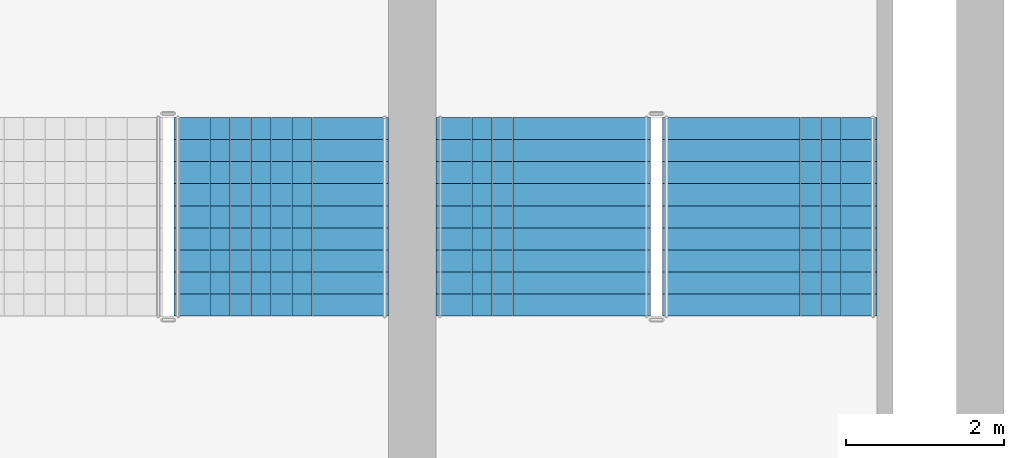
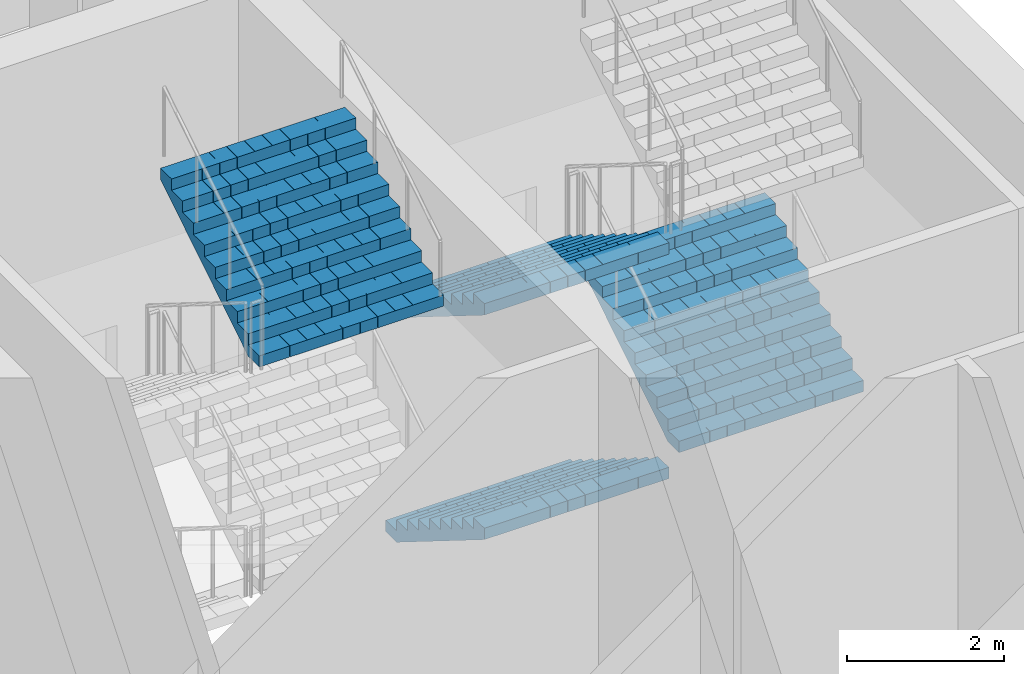
# One storey, part 35 of 45: 4 stair flights, 2 elements without a shape of their own.
"""IFC4 building model written with IfcOpenShell, lengths in metres."""

from ifc_helpers import new_model, si_unit, direction, frame, origin, place, context, subcontext, project, spatial, polyline, outline, extrude, material, type_object, element, aggregate, save


model = new_model("IFC4")

# Units and contexts
model_context = context("Model", 3, precision=1e-05, world=origin(), true_north=direction((0.0, 1.0)))
body_context = subcontext(model_context, "Body", "Model", "MODEL_VIEW")
ifc_project = project(units=[si_unit("LENGTHUNIT", "METRE"), si_unit("AREAUNIT", "SQUARE_METRE"), si_unit("VOLUMEUNIT", "CUBIC_METRE"), si_unit("PLANEANGLEUNIT", "RADIAN"), si_unit("MASSUNIT", "GRAM", prefix="KILO")], contexts=[model_context])

# Site, building, storey
site_placement = place(None, origin())
site = spatial("IfcSite", under=ifc_project, at=site_placement, CompositionType="ELEMENT")
building_placement = place(site_placement, origin())
building = spatial("IfcBuilding", under=site, at=building_placement, Name="Corbelhall Arena Tower", CompositionType="ELEMENT")
storey_placement = place(building_placement, frame((0.0, 0.0, 37.0)))
storey = spatial("IfcBuildingStorey", under=building, at=storey_placement, Name="L05", CompositionType="ELEMENT", Elevation=37.0)

# Stair, stair flight
ifc_material = material(Name="Reinforced concrete C40/50", Category="concrete")
stair_type = type_object("IfcStairType", Name="AR-EXIT-STAIR", PredefinedType="HALF_TURN_STAIR", material=ifc_material)
stair_1_placement = place(storey_placement, origin())
stair_1 = element("IfcStair", 1, at=stair_1_placement, inside=storey, type_object=stair_type, Name="L05 exit stair AS5", PredefinedType="HALF_TURN_STAIR")
stair_flight_type = type_object("IfcStairFlightType", Name="AR-EXIT-FLIGHT", PredefinedType="STRAIGHT", material=ifc_material)
stair_flight_1_placement = place(storey_placement, frame((38.840087890625, -29.840087890625, 5.25), z_axis=(0.0, 0.0, 1.0), x_axis=(0.0, 1.0, 0.0)))
stair_flight_1 = element("IfcStairFlight", 2, at=stair_flight_1_placement, type_object=stair_flight_type, Name="AS5 flight 4", NumberOfRisers=10, NumberOfTreads=9, PredefinedType="STRAIGHT", RiserHeight=0.175, TreadLength=0.28, context=body_context, shape_type="SweptSolid", body=[
    extrude(outline(polyline([(0.0, 0.0), (0.0, 0.175048828125), (0.280029296875, 0.175048828125), (0.280029296875, 0.35009765625), (0.56005859375, 0.35009765625), (0.56005859375, 0.52490234375), (0.840087890625, 0.52490234375), (0.840087890625, 0.699951171875), (1.1201171875, 0.699951171875), (1.1201171875, 0.875), (1.39990234375, 0.875), (1.39990234375, 1.050048828125), (1.679931640625, 1.050048828125), (1.679931640625, 1.22509765625), (1.9599609375, 1.22509765625), (1.9599609375, 1.39990234375), (2.239990234375, 1.39990234375), (2.239990234375, 1.574951171875), (2.52001953125, 1.574951171875), (2.52001953125, 1.75), (2.52001953125, 1.398193359375), (0.28271484375, 0.0), (0.0, 0.0)])), frame((0.0, 1.35986328125, 0.0), z_axis=(0.0, -1.0, 0.0), x_axis=(1.0, 0.0, 0.0)), (0.0, 0.0, 1.0), 0.449951171875),
    extrude(outline(polyline([(0.0, 0.0), (0.0, 0.175048828125), (0.280029296875, 0.175048828125), (0.280029296875, 0.35009765625), (0.56005859375, 0.35009765625), (0.56005859375, 0.52490234375), (0.840087890625, 0.52490234375), (0.840087890625, 0.699951171875), (1.1201171875, 0.699951171875), (1.1201171875, 0.875), (1.39990234375, 0.875), (1.39990234375, 1.050048828125), (1.679931640625, 1.050048828125), (1.679931640625, 1.22509765625), (1.9599609375, 1.22509765625), (1.9599609375, 1.39990234375), (2.239990234375, 1.39990234375), (2.239990234375, 1.574951171875), (2.52001953125, 1.574951171875), (2.52001953125, 1.75), (2.52001953125, 1.398193359375), (0.28271484375, 0.0), (0.0, 0.0)])), frame((0.0, 0.906005859375, 0.0), z_axis=(0.0, -1.0, 0.0), x_axis=(1.0, 0.0, 0.0)), (0.0, 0.0, 1.0), 0.25537109375),
    extrude(outline(polyline([(0.0, 0.0), (0.0, 0.175048828125), (0.280029296875, 0.175048828125), (0.280029296875, 0.35009765625), (0.56005859375, 0.35009765625), (0.56005859375, 0.52490234375), (0.840087890625, 0.52490234375), (0.840087890625, 0.699951171875), (1.1201171875, 0.699951171875), (1.1201171875, 0.875), (1.39990234375, 0.875), (1.39990234375, 1.050048828125), (1.679931640625, 1.050048828125), (1.679931640625, 1.22509765625), (1.9599609375, 1.22509765625), (1.9599609375, 1.39990234375), (2.239990234375, 1.39990234375), (2.239990234375, 1.574951171875), (2.52001953125, 1.574951171875), (2.52001953125, 1.75), (2.52001953125, 1.398193359375), (0.28271484375, 0.0), (0.0, 0.0)])), frame((0.0, 0.646484375, 0.0), z_axis=(0.0, -1.0, 0.0), x_axis=(1.0, 0.0, 0.0)), (0.0, 0.0, 1.0), 0.25537109375),
    extrude(outline(polyline([(0.0, 0.0), (0.0, 0.175048828125), (0.280029296875, 0.175048828125), (0.280029296875, 0.35009765625), (0.56005859375, 0.35009765625), (0.56005859375, 0.52490234375), (0.840087890625, 0.52490234375), (0.840087890625, 0.699951171875), (1.1201171875, 0.699951171875), (1.1201171875, 0.875), (1.39990234375, 0.875), (1.39990234375, 1.050048828125), (1.679931640625, 1.050048828125), (1.679931640625, 1.22509765625), (1.9599609375, 1.22509765625), (1.9599609375, 1.39990234375), (2.239990234375, 1.39990234375), (2.239990234375, 1.574951171875), (2.52001953125, 1.574951171875), (2.52001953125, 1.75), (2.52001953125, 1.398193359375), (0.28271484375, 0.0), (0.0, 0.0)])), frame((0.0, 0.38720703125, 0.0), z_axis=(0.0, -1.0, 0.0), x_axis=(1.0, 0.0, 0.0)), (0.0, 0.0, 1.0), 0.25537109375),
    extrude(outline(polyline([(0.0, 0.0), (0.0, 0.175048828125), (0.280029296875, 0.175048828125), (0.280029296875, 0.35009765625), (0.56005859375, 0.35009765625), (0.56005859375, 0.52490234375), (0.840087890625, 0.52490234375), (0.840087890625, 0.699951171875), (1.1201171875, 0.699951171875), (1.1201171875, 0.875), (1.39990234375, 0.875), (1.39990234375, 1.050048828125), (1.679931640625, 1.050048828125), (1.679931640625, 1.22509765625), (1.9599609375, 1.22509765625), (1.9599609375, 1.39990234375), (2.239990234375, 1.39990234375), (2.239990234375, 1.574951171875), (2.52001953125, 1.574951171875), (2.52001953125, 1.75), (2.52001953125, 1.398193359375), (0.28271484375, 0.0), (0.0, 0.0)])), frame((0.0, 0.127685546875, 0.0), z_axis=(0.0, -1.0, 0.0), x_axis=(1.0, 0.0, 0.0)), (0.0, 0.0, 1.0), 0.25537109375),
    extrude(outline(polyline([(0.0, 0.0), (0.0, 0.175048828125), (0.280029296875, 0.175048828125), (0.280029296875, 0.35009765625), (0.56005859375, 0.35009765625), (0.56005859375, 0.52490234375), (0.840087890625, 0.52490234375), (0.840087890625, 0.699951171875), (1.1201171875, 0.699951171875), (1.1201171875, 0.875), (1.39990234375, 0.875), (1.39990234375, 1.050048828125), (1.679931640625, 1.050048828125), (1.679931640625, 1.22509765625), (1.9599609375, 1.22509765625), (1.9599609375, 1.39990234375), (2.239990234375, 1.39990234375), (2.239990234375, 1.574951171875), (2.52001953125, 1.574951171875), (2.52001953125, 1.75), (2.52001953125, 1.398193359375), (0.28271484375, 0.0), (0.0, 0.0)])), frame((0.0, -0.131591796875, 0.0), z_axis=(0.0, -1.0, 0.0), x_axis=(1.0, 0.0, 0.0)), (0.0, 0.0, 1.0), 0.25537109375),
    extrude(outline(polyline([(0.0, 0.0), (0.0, 0.175048828125), (0.280029296875, 0.175048828125), (0.280029296875, 0.35009765625), (0.56005859375, 0.35009765625), (0.56005859375, 0.52490234375), (0.840087890625, 0.52490234375), (0.840087890625, 0.699951171875), (1.1201171875, 0.699951171875), (1.1201171875, 0.875), (1.39990234375, 0.875), (1.39990234375, 1.050048828125), (1.679931640625, 1.050048828125), (1.679931640625, 1.22509765625), (1.9599609375, 1.22509765625), (1.9599609375, 1.39990234375), (2.239990234375, 1.39990234375), (2.239990234375, 1.574951171875), (2.52001953125, 1.574951171875), (2.52001953125, 1.75), (2.52001953125, 1.398193359375), (0.28271484375, 0.0), (0.0, 0.0)])), frame((0.0, -0.39111328125, 0.0), z_axis=(0.0, -1.0, 0.0), x_axis=(1.0, 0.0, 0.0)), (0.0, 0.0, 1.0), 0.25537109375),
    extrude(outline(polyline([(0.0, 0.0), (0.0, 0.175048828125), (0.280029296875, 0.175048828125), (0.280029296875, 0.35009765625), (0.56005859375, 0.35009765625), (0.56005859375, 0.52490234375), (0.840087890625, 0.52490234375), (0.840087890625, 0.699951171875), (1.1201171875, 0.699951171875), (1.1201171875, 0.875), (1.39990234375, 0.875), (1.39990234375, 1.050048828125), (1.679931640625, 1.050048828125), (1.679931640625, 1.22509765625), (1.9599609375, 1.22509765625), (1.9599609375, 1.39990234375), (2.239990234375, 1.39990234375), (2.239990234375, 1.574951171875), (2.52001953125, 1.574951171875), (2.52001953125, 1.75), (2.52001953125, 1.398193359375), (0.28271484375, 0.0), (0.0, 0.0)])), frame((0.0, -0.650634765625, 0.0), z_axis=(0.0, -1.0, 0.0), x_axis=(1.0, 0.0, 0.0)), (0.0, 0.0, 1.0), 0.25537109375),
    extrude(outline(polyline([(0.0, 0.0), (0.0, 0.175048828125), (0.280029296875, 0.175048828125), (0.280029296875, 0.35009765625), (0.56005859375, 0.35009765625), (0.56005859375, 0.52490234375), (0.840087890625, 0.52490234375), (0.840087890625, 0.699951171875), (1.1201171875, 0.699951171875), (1.1201171875, 0.875), (1.39990234375, 0.875), (1.39990234375, 1.050048828125), (1.679931640625, 1.050048828125), (1.679931640625, 1.22509765625), (1.9599609375, 1.22509765625), (1.9599609375, 1.39990234375), (2.239990234375, 1.39990234375), (2.239990234375, 1.574951171875), (2.52001953125, 1.574951171875), (2.52001953125, 1.75), (2.52001953125, 1.398193359375), (0.28271484375, 0.0), (0.0, 0.0)])), frame((0.0, -0.909912109375, 0.0), z_axis=(0.0, -1.0, 0.0), x_axis=(1.0, 0.0, 0.0)), (0.0, 0.0, 1.0), 0.449951171875),
])
aggregate(stair_1, [stair_flight_1])

# Stair, stair flights
stair_2_placement = place(storey_placement, origin())
stair_2 = element("IfcStair", 3, at=stair_2_placement, inside=storey, type_object=stair_type, Name="L05 exit stair AS6", PredefinedType="HALF_TURN_STAIR")
stair_flight_2_placement = place(storey_placement, frame((42.159912109375, -27.320068359375, 0.0), z_axis=(0.0, 0.0, 1.0), x_axis=(0.0, -1.0, 0.0)))
stair_flight_2 = element("IfcStairFlight", 4, at=stair_flight_2_placement, type_object=stair_flight_type, Name="AS6 flight 1", NumberOfRisers=10, NumberOfTreads=9, PredefinedType="STRAIGHT", RiserHeight=0.175, TreadLength=0.28, context=body_context, shape_type="SweptSolid", body=[
    extrude(outline(polyline([(0.0, 0.0), (0.0, 0.175048828125), (0.280029296875, 0.175048828125), (0.280029296875, 0.35009765625), (0.56005859375, 0.35009765625), (0.56005859375, 0.52490234375), (0.840087890625, 0.52490234375), (0.840087890625, 0.699951171875), (1.1201171875, 0.699951171875), (1.1201171875, 0.875), (1.39990234375, 0.875), (1.39990234375, 1.050048828125), (1.679931640625, 1.050048828125), (1.679931640625, 1.22509765625), (1.9599609375, 1.22509765625), (1.9599609375, 1.39990234375), (2.239990234375, 1.39990234375), (2.239990234375, 1.574951171875), (2.52001953125, 1.574951171875), (2.52001953125, 1.75), (2.52001953125, 1.398193359375), (0.28271484375, 0.0), (0.0, 0.0)])), frame((0.0, 1.35986328125, 0.0), z_axis=(0.0, -1.0, 0.0), x_axis=(1.0, 0.0, 0.0)), (0.0, 0.0, 1.0), 0.449951171875),
    extrude(outline(polyline([(0.0, 0.0), (0.0, 0.175048828125), (0.280029296875, 0.175048828125), (0.280029296875, 0.35009765625), (0.56005859375, 0.35009765625), (0.56005859375, 0.52490234375), (0.840087890625, 0.52490234375), (0.840087890625, 0.699951171875), (1.1201171875, 0.699951171875), (1.1201171875, 0.875), (1.39990234375, 0.875), (1.39990234375, 1.050048828125), (1.679931640625, 1.050048828125), (1.679931640625, 1.22509765625), (1.9599609375, 1.22509765625), (1.9599609375, 1.39990234375), (2.239990234375, 1.39990234375), (2.239990234375, 1.574951171875), (2.52001953125, 1.574951171875), (2.52001953125, 1.75), (2.52001953125, 1.398193359375), (0.28271484375, 0.0), (0.0, 0.0)])), frame((0.0, 0.906005859375, 0.0), z_axis=(0.0, -1.0, 0.0), x_axis=(1.0, 0.0, 0.0)), (0.0, 0.0, 1.0), 0.25537109375),
    extrude(outline(polyline([(0.0, 0.0), (0.0, 0.175048828125), (0.280029296875, 0.175048828125), (0.280029296875, 0.35009765625), (0.56005859375, 0.35009765625), (0.56005859375, 0.52490234375), (0.840087890625, 0.52490234375), (0.840087890625, 0.699951171875), (1.1201171875, 0.699951171875), (1.1201171875, 0.875), (1.39990234375, 0.875), (1.39990234375, 1.050048828125), (1.679931640625, 1.050048828125), (1.679931640625, 1.22509765625), (1.9599609375, 1.22509765625), (1.9599609375, 1.39990234375), (2.239990234375, 1.39990234375), (2.239990234375, 1.574951171875), (2.52001953125, 1.574951171875), (2.52001953125, 1.75), (2.52001953125, 1.398193359375), (0.28271484375, 0.0), (0.0, 0.0)])), frame((0.0, 0.646484375, 0.0), z_axis=(0.0, -1.0, 0.0), x_axis=(1.0, 0.0, 0.0)), (0.0, 0.0, 1.0), 0.25537109375),
    extrude(outline(polyline([(0.0, 0.0), (0.0, 0.175048828125), (0.280029296875, 0.175048828125), (0.280029296875, 0.35009765625), (0.56005859375, 0.35009765625), (0.56005859375, 0.52490234375), (0.840087890625, 0.52490234375), (0.840087890625, 0.699951171875), (1.1201171875, 0.699951171875), (1.1201171875, 0.875), (1.39990234375, 0.875), (1.39990234375, 1.050048828125), (1.679931640625, 1.050048828125), (1.679931640625, 1.22509765625), (1.9599609375, 1.22509765625), (1.9599609375, 1.39990234375), (2.239990234375, 1.39990234375), (2.239990234375, 1.574951171875), (2.52001953125, 1.574951171875), (2.52001953125, 1.75), (2.52001953125, 1.398193359375), (0.28271484375, 0.0), (0.0, 0.0)])), frame((0.0, 0.38720703125, 0.0), z_axis=(0.0, -1.0, 0.0), x_axis=(1.0, 0.0, 0.0)), (0.0, 0.0, 1.0), 0.25537109375),
    extrude(outline(polyline([(0.0, 0.0), (0.0, 0.175048828125), (0.280029296875, 0.175048828125), (0.280029296875, 0.35009765625), (0.56005859375, 0.35009765625), (0.56005859375, 0.52490234375), (0.840087890625, 0.52490234375), (0.840087890625, 0.699951171875), (1.1201171875, 0.699951171875), (1.1201171875, 0.875), (1.39990234375, 0.875), (1.39990234375, 1.050048828125), (1.679931640625, 1.050048828125), (1.679931640625, 1.22509765625), (1.9599609375, 1.22509765625), (1.9599609375, 1.39990234375), (2.239990234375, 1.39990234375), (2.239990234375, 1.574951171875), (2.52001953125, 1.574951171875), (2.52001953125, 1.75), (2.52001953125, 1.398193359375), (0.28271484375, 0.0), (0.0, 0.0)])), frame((0.0, 0.127685546875, 0.0), z_axis=(0.0, -1.0, 0.0), x_axis=(1.0, 0.0, 0.0)), (0.0, 0.0, 1.0), 0.25537109375),
    extrude(outline(polyline([(0.0, 0.0), (0.0, 0.175048828125), (0.280029296875, 0.175048828125), (0.280029296875, 0.35009765625), (0.56005859375, 0.35009765625), (0.56005859375, 0.52490234375), (0.840087890625, 0.52490234375), (0.840087890625, 0.699951171875), (1.1201171875, 0.699951171875), (1.1201171875, 0.875), (1.39990234375, 0.875), (1.39990234375, 1.050048828125), (1.679931640625, 1.050048828125), (1.679931640625, 1.22509765625), (1.9599609375, 1.22509765625), (1.9599609375, 1.39990234375), (2.239990234375, 1.39990234375), (2.239990234375, 1.574951171875), (2.52001953125, 1.574951171875), (2.52001953125, 1.75), (2.52001953125, 1.398193359375), (0.28271484375, 0.0), (0.0, 0.0)])), frame((0.0, -0.131591796875, 0.0), z_axis=(0.0, -1.0, 0.0), x_axis=(1.0, 0.0, 0.0)), (0.0, 0.0, 1.0), 0.25537109375),
    extrude(outline(polyline([(0.0, 0.0), (0.0, 0.175048828125), (0.280029296875, 0.175048828125), (0.280029296875, 0.35009765625), (0.56005859375, 0.35009765625), (0.56005859375, 0.52490234375), (0.840087890625, 0.52490234375), (0.840087890625, 0.699951171875), (1.1201171875, 0.699951171875), (1.1201171875, 0.875), (1.39990234375, 0.875), (1.39990234375, 1.050048828125), (1.679931640625, 1.050048828125), (1.679931640625, 1.22509765625), (1.9599609375, 1.22509765625), (1.9599609375, 1.39990234375), (2.239990234375, 1.39990234375), (2.239990234375, 1.574951171875), (2.52001953125, 1.574951171875), (2.52001953125, 1.75), (2.52001953125, 1.398193359375), (0.28271484375, 0.0), (0.0, 0.0)])), frame((0.0, -0.39111328125, 0.0), z_axis=(0.0, -1.0, 0.0), x_axis=(1.0, 0.0, 0.0)), (0.0, 0.0, 1.0), 0.25537109375),
    extrude(outline(polyline([(0.0, 0.0), (0.0, 0.175048828125), (0.280029296875, 0.175048828125), (0.280029296875, 0.35009765625), (0.56005859375, 0.35009765625), (0.56005859375, 0.52490234375), (0.840087890625, 0.52490234375), (0.840087890625, 0.699951171875), (1.1201171875, 0.699951171875), (1.1201171875, 0.875), (1.39990234375, 0.875), (1.39990234375, 1.050048828125), (1.679931640625, 1.050048828125), (1.679931640625, 1.22509765625), (1.9599609375, 1.22509765625), (1.9599609375, 1.39990234375), (2.239990234375, 1.39990234375), (2.239990234375, 1.574951171875), (2.52001953125, 1.574951171875), (2.52001953125, 1.75), (2.52001953125, 1.398193359375), (0.28271484375, 0.0), (0.0, 0.0)])), frame((0.0, -0.650634765625, 0.0), z_axis=(0.0, -1.0, 0.0), x_axis=(1.0, 0.0, 0.0)), (0.0, 0.0, 1.0), 0.25537109375),
    extrude(outline(polyline([(0.0, 0.0), (0.0, 0.175048828125), (0.280029296875, 0.175048828125), (0.280029296875, 0.35009765625), (0.56005859375, 0.35009765625), (0.56005859375, 0.52490234375), (0.840087890625, 0.52490234375), (0.840087890625, 0.699951171875), (1.1201171875, 0.699951171875), (1.1201171875, 0.875), (1.39990234375, 0.875), (1.39990234375, 1.050048828125), (1.679931640625, 1.050048828125), (1.679931640625, 1.22509765625), (1.9599609375, 1.22509765625), (1.9599609375, 1.39990234375), (2.239990234375, 1.39990234375), (2.239990234375, 1.574951171875), (2.52001953125, 1.574951171875), (2.52001953125, 1.75), (2.52001953125, 1.398193359375), (0.28271484375, 0.0), (0.0, 0.0)])), frame((0.0, -0.909912109375, 0.0), z_axis=(0.0, -1.0, 0.0), x_axis=(1.0, 0.0, 0.0)), (0.0, 0.0, 1.0), 0.449951171875),
])
stair_flight_3_placement = place(storey_placement, frame((45.030029296875, -29.840087890625, 1.75), z_axis=(0.0, 0.0, 1.0), x_axis=(0.0, 1.0, 0.0)))
stair_flight_3 = element("IfcStairFlight", 5, at=stair_flight_3_placement, type_object=stair_flight_type, Name="AS6 flight 2", NumberOfRisers=10, NumberOfTreads=9, PredefinedType="STRAIGHT", RiserHeight=0.175, TreadLength=0.28, context=body_context, shape_type="SweptSolid", body=[
    extrude(outline(polyline([(0.0, 0.0), (0.0, 0.175048828125), (0.280029296875, 0.175048828125), (0.280029296875, 0.35009765625), (0.56005859375, 0.35009765625), (0.56005859375, 0.52490234375), (0.840087890625, 0.52490234375), (0.840087890625, 0.699951171875), (1.1201171875, 0.699951171875), (1.1201171875, 0.875), (1.39990234375, 0.875), (1.39990234375, 1.050048828125), (1.679931640625, 1.050048828125), (1.679931640625, 1.22509765625), (1.9599609375, 1.22509765625), (1.9599609375, 1.39990234375), (2.239990234375, 1.39990234375), (2.239990234375, 1.574951171875), (2.52001953125, 1.574951171875), (2.52001953125, 1.75), (2.52001953125, 1.398193359375), (0.28271484375, 0.0), (0.0, 0.0)])), frame((0.0, 1.35986328125, 0.0), z_axis=(0.0, -1.0, 0.0), x_axis=(1.0, 0.0, 0.0)), (0.0, 0.0, 1.0), 0.449951171875),
    extrude(outline(polyline([(0.0, 0.0), (0.0, 0.175048828125), (0.280029296875, 0.175048828125), (0.280029296875, 0.35009765625), (0.56005859375, 0.35009765625), (0.56005859375, 0.52490234375), (0.840087890625, 0.52490234375), (0.840087890625, 0.699951171875), (1.1201171875, 0.699951171875), (1.1201171875, 0.875), (1.39990234375, 0.875), (1.39990234375, 1.050048828125), (1.679931640625, 1.050048828125), (1.679931640625, 1.22509765625), (1.9599609375, 1.22509765625), (1.9599609375, 1.39990234375), (2.239990234375, 1.39990234375), (2.239990234375, 1.574951171875), (2.52001953125, 1.574951171875), (2.52001953125, 1.75), (2.52001953125, 1.398193359375), (0.28271484375, 0.0), (0.0, 0.0)])), frame((0.0, 0.906005859375, 0.0), z_axis=(0.0, -1.0, 0.0), x_axis=(1.0, 0.0, 0.0)), (0.0, 0.0, 1.0), 0.25537109375),
    extrude(outline(polyline([(0.0, 0.0), (0.0, 0.175048828125), (0.280029296875, 0.175048828125), (0.280029296875, 0.35009765625), (0.56005859375, 0.35009765625), (0.56005859375, 0.52490234375), (0.840087890625, 0.52490234375), (0.840087890625, 0.699951171875), (1.1201171875, 0.699951171875), (1.1201171875, 0.875), (1.39990234375, 0.875), (1.39990234375, 1.050048828125), (1.679931640625, 1.050048828125), (1.679931640625, 1.22509765625), (1.9599609375, 1.22509765625), (1.9599609375, 1.39990234375), (2.239990234375, 1.39990234375), (2.239990234375, 1.574951171875), (2.52001953125, 1.574951171875), (2.52001953125, 1.75), (2.52001953125, 1.398193359375), (0.28271484375, 0.0), (0.0, 0.0)])), frame((0.0, 0.646484375, 0.0), z_axis=(0.0, -1.0, 0.0), x_axis=(1.0, 0.0, 0.0)), (0.0, 0.0, 1.0), 0.25537109375),
    extrude(outline(polyline([(0.0, 0.0), (0.0, 0.175048828125), (0.280029296875, 0.175048828125), (0.280029296875, 0.35009765625), (0.56005859375, 0.35009765625), (0.56005859375, 0.52490234375), (0.840087890625, 0.52490234375), (0.840087890625, 0.699951171875), (1.1201171875, 0.699951171875), (1.1201171875, 0.875), (1.39990234375, 0.875), (1.39990234375, 1.050048828125), (1.679931640625, 1.050048828125), (1.679931640625, 1.22509765625), (1.9599609375, 1.22509765625), (1.9599609375, 1.39990234375), (2.239990234375, 1.39990234375), (2.239990234375, 1.574951171875), (2.52001953125, 1.574951171875), (2.52001953125, 1.75), (2.52001953125, 1.398193359375), (0.28271484375, 0.0), (0.0, 0.0)])), frame((0.0, 0.38720703125, 0.0), z_axis=(0.0, -1.0, 0.0), x_axis=(1.0, 0.0, 0.0)), (0.0, 0.0, 1.0), 0.25537109375),
    extrude(outline(polyline([(0.0, 0.0), (0.0, 0.175048828125), (0.280029296875, 0.175048828125), (0.280029296875, 0.35009765625), (0.56005859375, 0.35009765625), (0.56005859375, 0.52490234375), (0.840087890625, 0.52490234375), (0.840087890625, 0.699951171875), (1.1201171875, 0.699951171875), (1.1201171875, 0.875), (1.39990234375, 0.875), (1.39990234375, 1.050048828125), (1.679931640625, 1.050048828125), (1.679931640625, 1.22509765625), (1.9599609375, 1.22509765625), (1.9599609375, 1.39990234375), (2.239990234375, 1.39990234375), (2.239990234375, 1.574951171875), (2.52001953125, 1.574951171875), (2.52001953125, 1.75), (2.52001953125, 1.398193359375), (0.28271484375, 0.0), (0.0, 0.0)])), frame((0.0, 0.127685546875, 0.0), z_axis=(0.0, -1.0, 0.0), x_axis=(1.0, 0.0, 0.0)), (0.0, 0.0, 1.0), 0.25537109375),
    extrude(outline(polyline([(0.0, 0.0), (0.0, 0.175048828125), (0.280029296875, 0.175048828125), (0.280029296875, 0.35009765625), (0.56005859375, 0.35009765625), (0.56005859375, 0.52490234375), (0.840087890625, 0.52490234375), (0.840087890625, 0.699951171875), (1.1201171875, 0.699951171875), (1.1201171875, 0.875), (1.39990234375, 0.875), (1.39990234375, 1.050048828125), (1.679931640625, 1.050048828125), (1.679931640625, 1.22509765625), (1.9599609375, 1.22509765625), (1.9599609375, 1.39990234375), (2.239990234375, 1.39990234375), (2.239990234375, 1.574951171875), (2.52001953125, 1.574951171875), (2.52001953125, 1.75), (2.52001953125, 1.398193359375), (0.28271484375, 0.0), (0.0, 0.0)])), frame((0.0, -0.131591796875, 0.0), z_axis=(0.0, -1.0, 0.0), x_axis=(1.0, 0.0, 0.0)), (0.0, 0.0, 1.0), 0.25537109375),
    extrude(outline(polyline([(0.0, 0.0), (0.0, 0.175048828125), (0.280029296875, 0.175048828125), (0.280029296875, 0.35009765625), (0.56005859375, 0.35009765625), (0.56005859375, 0.52490234375), (0.840087890625, 0.52490234375), (0.840087890625, 0.699951171875), (1.1201171875, 0.699951171875), (1.1201171875, 0.875), (1.39990234375, 0.875), (1.39990234375, 1.050048828125), (1.679931640625, 1.050048828125), (1.679931640625, 1.22509765625), (1.9599609375, 1.22509765625), (1.9599609375, 1.39990234375), (2.239990234375, 1.39990234375), (2.239990234375, 1.574951171875), (2.52001953125, 1.574951171875), (2.52001953125, 1.75), (2.52001953125, 1.398193359375), (0.28271484375, 0.0), (0.0, 0.0)])), frame((0.0, -0.39111328125, 0.0), z_axis=(0.0, -1.0, 0.0), x_axis=(1.0, 0.0, 0.0)), (0.0, 0.0, 1.0), 0.25537109375),
    extrude(outline(polyline([(0.0, 0.0), (0.0, 0.175048828125), (0.280029296875, 0.175048828125), (0.280029296875, 0.35009765625), (0.56005859375, 0.35009765625), (0.56005859375, 0.52490234375), (0.840087890625, 0.52490234375), (0.840087890625, 0.699951171875), (1.1201171875, 0.699951171875), (1.1201171875, 0.875), (1.39990234375, 0.875), (1.39990234375, 1.050048828125), (1.679931640625, 1.050048828125), (1.679931640625, 1.22509765625), (1.9599609375, 1.22509765625), (1.9599609375, 1.39990234375), (2.239990234375, 1.39990234375), (2.239990234375, 1.574951171875), (2.52001953125, 1.574951171875), (2.52001953125, 1.75), (2.52001953125, 1.398193359375), (0.28271484375, 0.0), (0.0, 0.0)])), frame((0.0, -0.650634765625, 0.0), z_axis=(0.0, -1.0, 0.0), x_axis=(1.0, 0.0, 0.0)), (0.0, 0.0, 1.0), 0.25537109375),
    extrude(outline(polyline([(0.0, 0.0), (0.0, 0.175048828125), (0.280029296875, 0.175048828125), (0.280029296875, 0.35009765625), (0.56005859375, 0.35009765625), (0.56005859375, 0.52490234375), (0.840087890625, 0.52490234375), (0.840087890625, 0.699951171875), (1.1201171875, 0.699951171875), (1.1201171875, 0.875), (1.39990234375, 0.875), (1.39990234375, 1.050048828125), (1.679931640625, 1.050048828125), (1.679931640625, 1.22509765625), (1.9599609375, 1.22509765625), (1.9599609375, 1.39990234375), (2.239990234375, 1.39990234375), (2.239990234375, 1.574951171875), (2.52001953125, 1.574951171875), (2.52001953125, 1.75), (2.52001953125, 1.398193359375), (0.28271484375, 0.0), (0.0, 0.0)])), frame((0.0, -0.909912109375, 0.0), z_axis=(0.0, -1.0, 0.0), x_axis=(1.0, 0.0, 0.0)), (0.0, 0.0, 1.0), 0.449951171875),
])
stair_flight_4_placement = place(storey_placement, frame((42.159912109375, -27.320068359375, 3.5), z_axis=(0.0, 0.0, 1.0), x_axis=(0.0, -1.0, 0.0)))
stair_flight_4 = element("IfcStairFlight", 6, at=stair_flight_4_placement, type_object=stair_flight_type, Name="AS6 flight 3", NumberOfRisers=10, NumberOfTreads=9, PredefinedType="STRAIGHT", RiserHeight=0.175, TreadLength=0.28, context=body_context, shape_type="SweptSolid", body=[
    extrude(outline(polyline([(0.0, 0.0), (0.0, 0.175048828125), (0.280029296875, 0.175048828125), (0.280029296875, 0.35009765625), (0.56005859375, 0.35009765625), (0.56005859375, 0.52490234375), (0.840087890625, 0.52490234375), (0.840087890625, 0.699951171875), (1.1201171875, 0.699951171875), (1.1201171875, 0.875), (1.39990234375, 0.875), (1.39990234375, 1.050048828125), (1.679931640625, 1.050048828125), (1.679931640625, 1.22509765625), (1.9599609375, 1.22509765625), (1.9599609375, 1.39990234375), (2.239990234375, 1.39990234375), (2.239990234375, 1.574951171875), (2.52001953125, 1.574951171875), (2.52001953125, 1.75), (2.52001953125, 1.398193359375), (0.28271484375, 0.0), (0.0, 0.0)])), frame((0.0, 1.35986328125, 0.0), z_axis=(0.0, -1.0, 0.0), x_axis=(1.0, 0.0, 0.0)), (0.0, 0.0, 1.0), 0.449951171875),
    extrude(outline(polyline([(0.0, 0.0), (0.0, 0.175048828125), (0.280029296875, 0.175048828125), (0.280029296875, 0.35009765625), (0.56005859375, 0.35009765625), (0.56005859375, 0.52490234375), (0.840087890625, 0.52490234375), (0.840087890625, 0.699951171875), (1.1201171875, 0.699951171875), (1.1201171875, 0.875), (1.39990234375, 0.875), (1.39990234375, 1.050048828125), (1.679931640625, 1.050048828125), (1.679931640625, 1.22509765625), (1.9599609375, 1.22509765625), (1.9599609375, 1.39990234375), (2.239990234375, 1.39990234375), (2.239990234375, 1.574951171875), (2.52001953125, 1.574951171875), (2.52001953125, 1.75), (2.52001953125, 1.398193359375), (0.28271484375, 0.0), (0.0, 0.0)])), frame((0.0, 0.906005859375, 0.0), z_axis=(0.0, -1.0, 0.0), x_axis=(1.0, 0.0, 0.0)), (0.0, 0.0, 1.0), 0.25537109375),
    extrude(outline(polyline([(0.0, 0.0), (0.0, 0.175048828125), (0.280029296875, 0.175048828125), (0.280029296875, 0.35009765625), (0.56005859375, 0.35009765625), (0.56005859375, 0.52490234375), (0.840087890625, 0.52490234375), (0.840087890625, 0.699951171875), (1.1201171875, 0.699951171875), (1.1201171875, 0.875), (1.39990234375, 0.875), (1.39990234375, 1.050048828125), (1.679931640625, 1.050048828125), (1.679931640625, 1.22509765625), (1.9599609375, 1.22509765625), (1.9599609375, 1.39990234375), (2.239990234375, 1.39990234375), (2.239990234375, 1.574951171875), (2.52001953125, 1.574951171875), (2.52001953125, 1.75), (2.52001953125, 1.398193359375), (0.28271484375, 0.0), (0.0, 0.0)])), frame((0.0, 0.646484375, 0.0), z_axis=(0.0, -1.0, 0.0), x_axis=(1.0, 0.0, 0.0)), (0.0, 0.0, 1.0), 0.25537109375),
    extrude(outline(polyline([(0.0, 0.0), (0.0, 0.175048828125), (0.280029296875, 0.175048828125), (0.280029296875, 0.35009765625), (0.56005859375, 0.35009765625), (0.56005859375, 0.52490234375), (0.840087890625, 0.52490234375), (0.840087890625, 0.699951171875), (1.1201171875, 0.699951171875), (1.1201171875, 0.875), (1.39990234375, 0.875), (1.39990234375, 1.050048828125), (1.679931640625, 1.050048828125), (1.679931640625, 1.22509765625), (1.9599609375, 1.22509765625), (1.9599609375, 1.39990234375), (2.239990234375, 1.39990234375), (2.239990234375, 1.574951171875), (2.52001953125, 1.574951171875), (2.52001953125, 1.75), (2.52001953125, 1.398193359375), (0.28271484375, 0.0), (0.0, 0.0)])), frame((0.0, 0.38720703125, 0.0), z_axis=(0.0, -1.0, 0.0), x_axis=(1.0, 0.0, 0.0)), (0.0, 0.0, 1.0), 0.25537109375),
    extrude(outline(polyline([(0.0, 0.0), (0.0, 0.175048828125), (0.280029296875, 0.175048828125), (0.280029296875, 0.35009765625), (0.56005859375, 0.35009765625), (0.56005859375, 0.52490234375), (0.840087890625, 0.52490234375), (0.840087890625, 0.699951171875), (1.1201171875, 0.699951171875), (1.1201171875, 0.875), (1.39990234375, 0.875), (1.39990234375, 1.050048828125), (1.679931640625, 1.050048828125), (1.679931640625, 1.22509765625), (1.9599609375, 1.22509765625), (1.9599609375, 1.39990234375), (2.239990234375, 1.39990234375), (2.239990234375, 1.574951171875), (2.52001953125, 1.574951171875), (2.52001953125, 1.75), (2.52001953125, 1.398193359375), (0.28271484375, 0.0), (0.0, 0.0)])), frame((0.0, 0.127685546875, 0.0), z_axis=(0.0, -1.0, 0.0), x_axis=(1.0, 0.0, 0.0)), (0.0, 0.0, 1.0), 0.25537109375),
    extrude(outline(polyline([(0.0, 0.0), (0.0, 0.175048828125), (0.280029296875, 0.175048828125), (0.280029296875, 0.35009765625), (0.56005859375, 0.35009765625), (0.56005859375, 0.52490234375), (0.840087890625, 0.52490234375), (0.840087890625, 0.699951171875), (1.1201171875, 0.699951171875), (1.1201171875, 0.875), (1.39990234375, 0.875), (1.39990234375, 1.050048828125), (1.679931640625, 1.050048828125), (1.679931640625, 1.22509765625), (1.9599609375, 1.22509765625), (1.9599609375, 1.39990234375), (2.239990234375, 1.39990234375), (2.239990234375, 1.574951171875), (2.52001953125, 1.574951171875), (2.52001953125, 1.75), (2.52001953125, 1.398193359375), (0.28271484375, 0.0), (0.0, 0.0)])), frame((0.0, -0.131591796875, 0.0), z_axis=(0.0, -1.0, 0.0), x_axis=(1.0, 0.0, 0.0)), (0.0, 0.0, 1.0), 0.25537109375),
    extrude(outline(polyline([(0.0, 0.0), (0.0, 0.175048828125), (0.280029296875, 0.175048828125), (0.280029296875, 0.35009765625), (0.56005859375, 0.35009765625), (0.56005859375, 0.52490234375), (0.840087890625, 0.52490234375), (0.840087890625, 0.699951171875), (1.1201171875, 0.699951171875), (1.1201171875, 0.875), (1.39990234375, 0.875), (1.39990234375, 1.050048828125), (1.679931640625, 1.050048828125), (1.679931640625, 1.22509765625), (1.9599609375, 1.22509765625), (1.9599609375, 1.39990234375), (2.239990234375, 1.39990234375), (2.239990234375, 1.574951171875), (2.52001953125, 1.574951171875), (2.52001953125, 1.75), (2.52001953125, 1.398193359375), (0.28271484375, 0.0), (0.0, 0.0)])), frame((0.0, -0.39111328125, 0.0), z_axis=(0.0, -1.0, 0.0), x_axis=(1.0, 0.0, 0.0)), (0.0, 0.0, 1.0), 0.25537109375),
    extrude(outline(polyline([(0.0, 0.0), (0.0, 0.175048828125), (0.280029296875, 0.175048828125), (0.280029296875, 0.35009765625), (0.56005859375, 0.35009765625), (0.56005859375, 0.52490234375), (0.840087890625, 0.52490234375), (0.840087890625, 0.699951171875), (1.1201171875, 0.699951171875), (1.1201171875, 0.875), (1.39990234375, 0.875), (1.39990234375, 1.050048828125), (1.679931640625, 1.050048828125), (1.679931640625, 1.22509765625), (1.9599609375, 1.22509765625), (1.9599609375, 1.39990234375), (2.239990234375, 1.39990234375), (2.239990234375, 1.574951171875), (2.52001953125, 1.574951171875), (2.52001953125, 1.75), (2.52001953125, 1.398193359375), (0.28271484375, 0.0), (0.0, 0.0)])), frame((0.0, -0.650634765625, 0.0), z_axis=(0.0, -1.0, 0.0), x_axis=(1.0, 0.0, 0.0)), (0.0, 0.0, 1.0), 0.25537109375),
    extrude(outline(polyline([(0.0, 0.0), (0.0, 0.175048828125), (0.280029296875, 0.175048828125), (0.280029296875, 0.35009765625), (0.56005859375, 0.35009765625), (0.56005859375, 0.52490234375), (0.840087890625, 0.52490234375), (0.840087890625, 0.699951171875), (1.1201171875, 0.699951171875), (1.1201171875, 0.875), (1.39990234375, 0.875), (1.39990234375, 1.050048828125), (1.679931640625, 1.050048828125), (1.679931640625, 1.22509765625), (1.9599609375, 1.22509765625), (1.9599609375, 1.39990234375), (2.239990234375, 1.39990234375), (2.239990234375, 1.574951171875), (2.52001953125, 1.574951171875), (2.52001953125, 1.75), (2.52001953125, 1.398193359375), (0.28271484375, 0.0), (0.0, 0.0)])), frame((0.0, -0.909912109375, 0.0), z_axis=(0.0, -1.0, 0.0), x_axis=(1.0, 0.0, 0.0)), (0.0, 0.0, 1.0), 0.449951171875),
])
aggregate(stair_2, [stair_flight_2, stair_flight_3, stair_flight_4])

save(model, "model.ifc")
